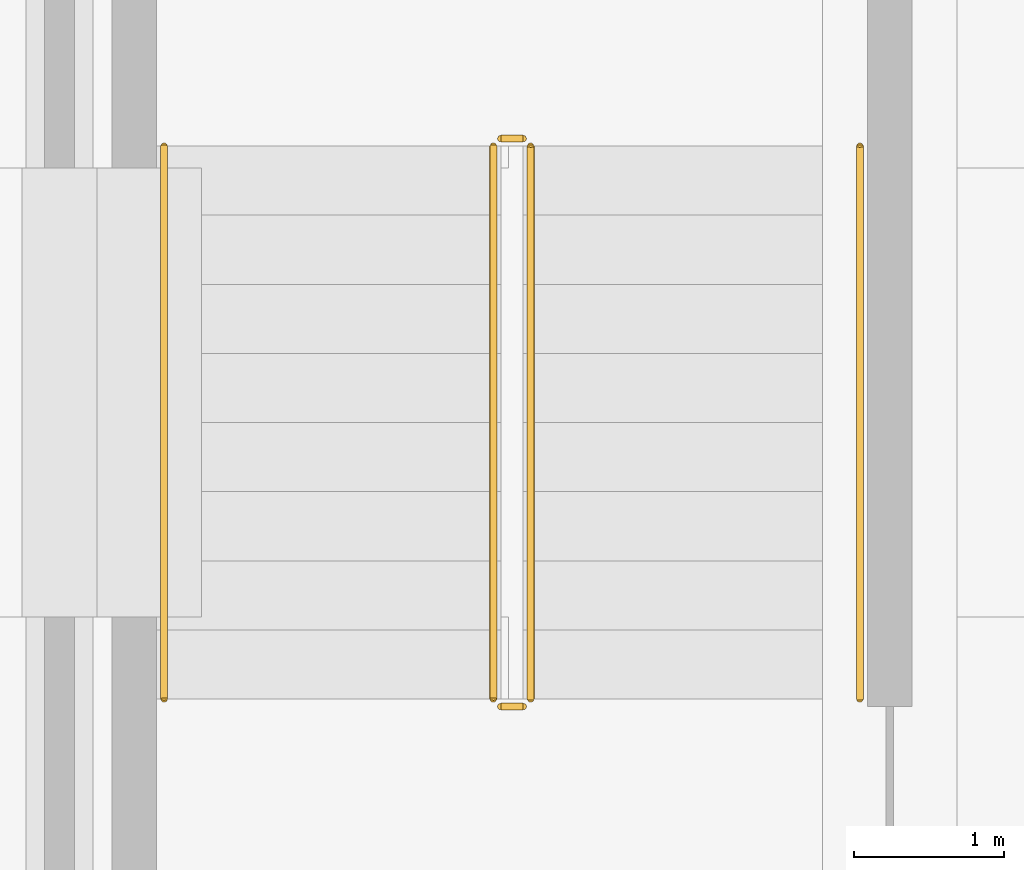
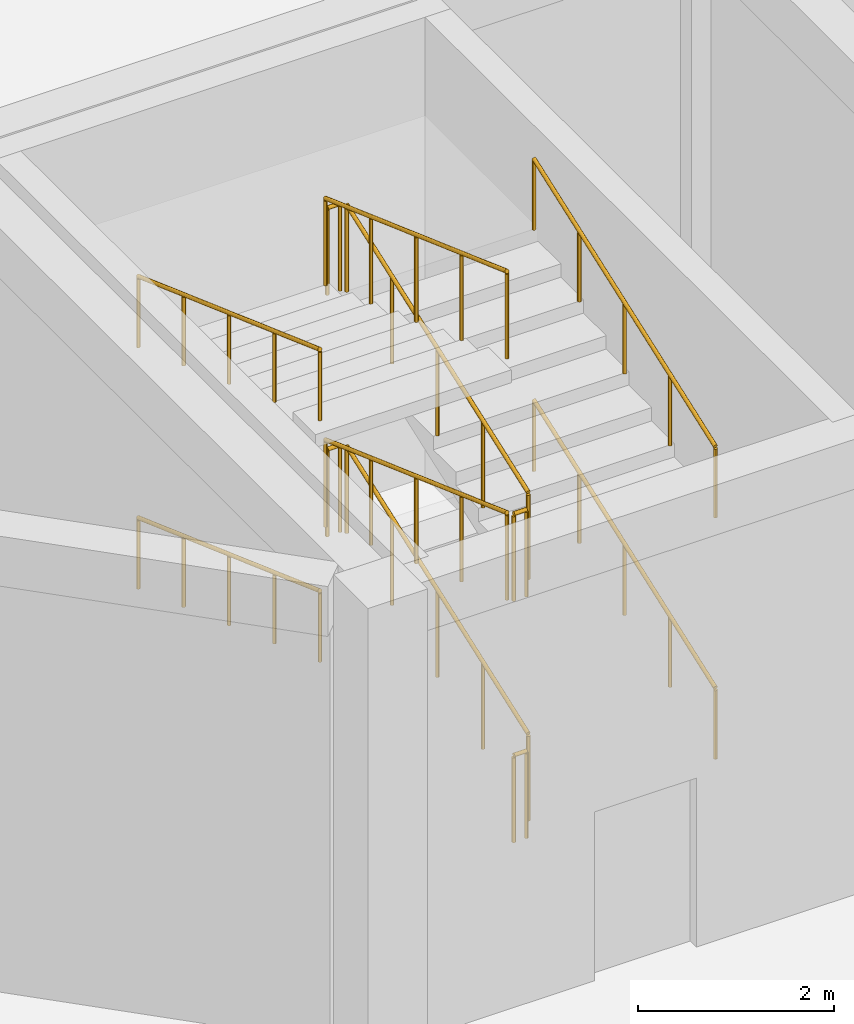
# One storey, part 38 of 44: 12 railings.
"""IFC4 building model written with IfcOpenShell, lengths in metres."""

from ifc_helpers import new_model, si_unit, direction, frame, origin, origin_2d, place, context, subcontext, project, spatial, circle, extrude, material, type_object, element, save


model = new_model("IFC4")

# Units and contexts
model_context = context("Model", 3, precision=1e-05, world=origin(), true_north=direction((0.0, 1.0)))
body_context = subcontext(model_context, "Body", "Model", "MODEL_VIEW")
ifc_project = project(units=[si_unit("LENGTHUNIT", "METRE"), si_unit("AREAUNIT", "SQUARE_METRE"), si_unit("VOLUMEUNIT", "CUBIC_METRE"), si_unit("PLANEANGLEUNIT", "RADIAN"), si_unit("MASSUNIT", "GRAM", prefix="KILO")], contexts=[model_context])

# Site, building, storey
site_placement = place(None, origin())
site = spatial("IfcSite", under=ifc_project, at=site_placement, CompositionType="ELEMENT")
building_placement = place(site_placement, origin())
building = spatial("IfcBuilding", under=site, at=building_placement, Name="Dhurran Vertical Campus", CompositionType="ELEMENT")
storey_placement = place(building_placement, origin())
storey = spatial("IfcBuildingStorey", under=building, at=storey_placement, Name="L00", CompositionType="ELEMENT", Elevation=0.0)

# Railings
ifc_material_1 = material(Name="Steel S355J2H", Category="steel")
railing_type_1 = type_object("IfcRailingType", Name="hl-stair guard 1100", PredefinedType="GUARDRAIL", material=ifc_material_1)
railing_1_placement = place(storey_placement, frame((73.64990234375, -24.550048828125, 0.166748046875)))
element("IfcRailing", 1, at=railing_1_placement, inside=storey, type_object=railing_type_1, Name="L00 HST1 stair guard 1", PredefinedType="GUARDRAIL", context=body_context, shape_type="SweptSolid", body=[
    extrude(circle(Radius=0.02392578125, at=origin_2d()), frame((0.0, 0.0, 1.076171875), z_axis=(0.0, 0.94067018433, 0.339322272054), x_axis=(-1.0, 0.0, 0.0)), (0.0, 0.0, 1.0), 3.92919921875),
    extrude(circle(Radius=0.02099609375, at=origin_2d()), origin(), (0.0, 0.0, 1.0), 1.052001953125),
    extrude(circle(Radius=0.02099609375, at=origin_2d()), frame((0.0, 0.924072265625, 0.333251953125)), (0.0, 0.0, 1.0), 1.052001953125),
    extrude(circle(Radius=0.02099609375, at=origin_2d()), frame((0.0, 1.84814453125, 0.66650390625)), (0.0, 0.0, 1.0), 1.052001953125),
    extrude(circle(Radius=0.02099609375, at=origin_2d()), frame((0.0, 2.77197265625, 1.0)), (0.0, 0.0, 1.0), 1.052001953125),
    extrude(circle(Radius=0.02099609375, at=origin_2d()), frame((0.0, 3.696044921875, 1.333251953125)), (0.0, 0.0, 1.0), 1.052001953125),
])
railing_2_placement = place(storey_placement, frame((73.60009765625, -20.803955078125, 1.5)))
element("IfcRailing", 2, at=railing_2_placement, inside=storey, type_object=railing_type_1, Name="L00 HST1 stair guard 2", PredefinedType="GUARDRAIL", context=body_context, shape_type="SweptSolid", body=[
    extrude(circle(Radius=0.02392578125, at=origin_2d()), frame((0.0, 0.0, 1.076171875), z_axis=(-1.0, 0.0, 0.0), x_axis=(0.0, -1.0, 0.0)), (0.0, 0.0, 1.0), 0.150146484375),
    extrude(circle(Radius=0.02099609375, at=origin_2d()), origin(), (0.0, 0.0, 1.0), 1.052001953125),
    extrude(circle(Radius=0.02099609375, at=origin_2d()), frame((-0.150146484375, 0.0, 0.0)), (0.0, 0.0, 1.0), 1.052001953125),
])
railing_3_placement = place(storey_placement, frame((73.39990234375, -20.85400390625, 1.666748046875)))
element("IfcRailing", 3, at=railing_3_placement, inside=storey, type_object=railing_type_1, Name="L00 HST1 stair guard 3", PredefinedType="GUARDRAIL", context=body_context, shape_type="SweptSolid", body=[
    extrude(circle(Radius=0.02392578125, at=origin_2d()), frame((0.0, 0.0, 1.076171875), z_axis=(0.0, -0.94067018433, 0.339322272054), x_axis=(1.0, 0.0, 0.0)), (0.0, 0.0, 1.0), 3.92919921875),
    extrude(circle(Radius=0.02099609375, at=origin_2d()), origin(), (0.0, 0.0, 1.0), 1.052001953125),
    extrude(circle(Radius=0.02099609375, at=origin_2d()), frame((0.0, -0.924072265625, 0.333251953125)), (0.0, 0.0, 1.0), 1.052001953125),
    extrude(circle(Radius=0.02099609375, at=origin_2d()), frame((0.0, -1.84814453125, 0.66650390625)), (0.0, 0.0, 1.0), 1.052001953125),
    extrude(circle(Radius=0.02099609375, at=origin_2d()), frame((0.0, -2.77197265625, 1.0)), (0.0, 0.0, 1.0), 1.052001953125),
    extrude(circle(Radius=0.02099609375, at=origin_2d()), frame((0.0, -3.696044921875, 1.333251953125)), (0.0, 0.0, 1.0), 1.052001953125),
])
railing_4_placement = place(storey_placement, frame((73.60009765625, -24.60009765625, 3.0)))
element("IfcRailing", 4, at=railing_4_placement, inside=storey, type_object=railing_type_1, Name="L00 HST1 stair guard 4", PredefinedType="GUARDRAIL", context=body_context, shape_type="SweptSolid", body=[
    extrude(circle(Radius=0.02392578125, at=origin_2d()), frame((0.0, 0.0, 1.076171875), z_axis=(-1.0, 0.0, 0.0), x_axis=(0.0, -1.0, 0.0)), (0.0, 0.0, 1.0), 0.150146484375),
    extrude(circle(Radius=0.02099609375, at=origin_2d()), origin(), (0.0, 0.0, 1.0), 1.052001953125),
    extrude(circle(Radius=0.02099609375, at=origin_2d()), frame((-0.150146484375, 0.0, 0.0)), (0.0, 0.0, 1.0), 1.052001953125),
])
railing_5_placement = place(storey_placement, frame((73.64990234375, -24.550048828125, 3.166748046875)))
element("IfcRailing", 5, at=railing_5_placement, inside=storey, type_object=railing_type_1, Name="L00 HST1 stair guard 5", PredefinedType="GUARDRAIL", context=body_context, shape_type="SweptSolid", body=[
    extrude(circle(Radius=0.02392578125, at=origin_2d()), frame((0.0, 0.0, 1.076171875), z_axis=(0.0, 0.94067018433, 0.339322272054), x_axis=(-1.0, 0.0, 0.0)), (0.0, 0.0, 1.0), 3.92919921875),
    extrude(circle(Radius=0.02099609375, at=origin_2d()), origin(), (0.0, 0.0, 1.0), 1.052001953125),
    extrude(circle(Radius=0.02099609375, at=origin_2d()), frame((0.0, 0.924072265625, 0.333251953125)), (0.0, 0.0, 1.0), 1.052001953125),
    extrude(circle(Radius=0.02099609375, at=origin_2d()), frame((0.0, 1.84814453125, 0.66650390625)), (0.0, 0.0, 1.0), 1.052001953125),
    extrude(circle(Radius=0.02099609375, at=origin_2d()), frame((0.0, 2.77197265625, 1.0)), (0.0, 0.0, 1.0), 1.052001953125),
    extrude(circle(Radius=0.02099609375, at=origin_2d()), frame((0.0, 3.696044921875, 1.333251953125)), (0.0, 0.0, 1.0), 1.052001953125),
])
railing_6_placement = place(storey_placement, frame((73.60009765625, -20.803955078125, 4.5)))
element("IfcRailing", 6, at=railing_6_placement, inside=storey, type_object=railing_type_1, Name="L00 HST1 stair guard 6", PredefinedType="GUARDRAIL", context=body_context, shape_type="SweptSolid", body=[
    extrude(circle(Radius=0.02392578125, at=origin_2d()), frame((0.0, 0.0, 1.076171875), z_axis=(-1.0, 0.0, 0.0), x_axis=(0.0, -1.0, 0.0)), (0.0, 0.0, 1.0), 0.150146484375),
    extrude(circle(Radius=0.02099609375, at=origin_2d()), origin(), (0.0, 0.0, 1.0), 1.052001953125),
    extrude(circle(Radius=0.02099609375, at=origin_2d()), frame((-0.150146484375, 0.0, 0.0)), (0.0, 0.0, 1.0), 1.052001953125),
])
railing_7_placement = place(storey_placement, frame((73.39990234375, -20.85400390625, 4.666748046875)))
element("IfcRailing", 7, at=railing_7_placement, inside=storey, type_object=railing_type_1, Name="L00 HST1 stair guard 7", PredefinedType="GUARDRAIL", context=body_context, shape_type="SweptSolid", body=[
    extrude(circle(Radius=0.02392578125, at=origin_2d()), frame((0.0, 0.0, 1.076171875), z_axis=(0.0, -0.94067018433, 0.339322272054), x_axis=(1.0, 0.0, 0.0)), (0.0, 0.0, 1.0), 3.92919921875),
    extrude(circle(Radius=0.02099609375, at=origin_2d()), origin(), (0.0, 0.0, 1.0), 1.052001953125),
    extrude(circle(Radius=0.02099609375, at=origin_2d()), frame((0.0, -0.924072265625, 0.333251953125)), (0.0, 0.0, 1.0), 1.052001953125),
    extrude(circle(Radius=0.02099609375, at=origin_2d()), frame((0.0, -1.84814453125, 0.66650390625)), (0.0, 0.0, 1.0), 1.052001953125),
    extrude(circle(Radius=0.02099609375, at=origin_2d()), frame((0.0, -2.77197265625, 1.0)), (0.0, 0.0, 1.0), 1.052001953125),
    extrude(circle(Radius=0.02099609375, at=origin_2d()), frame((0.0, -3.696044921875, 1.333251953125)), (0.0, 0.0, 1.0), 1.052001953125),
])
railing_8_placement = place(storey_placement, frame((73.60009765625, -24.60009765625, 0.0)))
element("IfcRailing", 8, at=railing_8_placement, inside=storey, type_object=railing_type_1, Name="L00 HST1 stair guard 8", PredefinedType="GUARDRAIL", context=body_context, shape_type="SweptSolid", body=[
    extrude(circle(Radius=0.02392578125, at=origin_2d()), frame((0.0, 0.0, 1.076171875), z_axis=(-1.0, 0.0, 0.0), x_axis=(0.0, -1.0, 0.0)), (0.0, 0.0, 1.0), 0.150146484375),
    extrude(circle(Radius=0.02099609375, at=origin_2d()), origin(), (0.0, 0.0, 1.0), 1.052001953125),
    extrude(circle(Radius=0.02099609375, at=origin_2d()), frame((-0.150146484375, 0.0, 0.0)), (0.0, 0.0, 1.0), 1.052001953125),
])
ifc_material_2 = material(Name="Steel S355J2H", Category="steel")
railing_type_2 = type_object("IfcRailingType", Name="hl-stair handrail", PredefinedType="HANDRAIL", material=ifc_material_2)
railing_9_placement = place(storey_placement, frame((75.85009765625, -24.550048828125, 0.166748046875)))
element("IfcRailing", 9, at=railing_9_placement, inside=storey, type_object=railing_type_2, Name="L00 HST1 stair handrail 1", PredefinedType="HANDRAIL", context=body_context, shape_type="SweptSolid", body=[
    extrude(circle(Radius=0.02392578125, at=origin_2d()), frame((0.0, 0.0, 0.8759765625), z_axis=(0.0, 0.94067018433, 0.339322272054), x_axis=(-1.0, 0.0, 0.0)), (0.0, 0.0, 1.0), 3.92919921875),
    extrude(circle(Radius=0.02099609375, at=origin_2d()), origin(), (0.0, 0.0, 1.0), 0.851806640625),
    extrude(circle(Radius=0.02099609375, at=origin_2d()), frame((0.0, 0.924072265625, 0.333251953125)), (0.0, 0.0, 1.0), 0.851806640625),
    extrude(circle(Radius=0.02099609375, at=origin_2d()), frame((0.0, 1.84814453125, 0.66650390625)), (0.0, 0.0, 1.0), 0.851806640625),
    extrude(circle(Radius=0.02099609375, at=origin_2d()), frame((0.0, 2.77197265625, 1.0)), (0.0, 0.0, 1.0), 0.851806640625),
    extrude(circle(Radius=0.02099609375, at=origin_2d()), frame((0.0, 3.696044921875, 1.333251953125)), (0.0, 0.0, 1.0), 0.851806640625),
])
railing_10_placement = place(storey_placement, frame((71.199951171875, -20.85400390625, 1.666748046875)))
element("IfcRailing", 10, at=railing_10_placement, inside=storey, type_object=railing_type_2, Name="L00 HST1 stair handrail 2", PredefinedType="HANDRAIL", context=body_context, shape_type="SweptSolid", body=[
    extrude(circle(Radius=0.02392578125, at=origin_2d()), frame((0.0, 0.0, 0.8759765625), z_axis=(0.0, -0.94067018433, 0.339322272054), x_axis=(1.0, 0.0, 0.0)), (0.0, 0.0, 1.0), 3.92919921875),
    extrude(circle(Radius=0.02099609375, at=origin_2d()), origin(), (0.0, 0.0, 1.0), 0.851806640625),
    extrude(circle(Radius=0.02099609375, at=origin_2d()), frame((0.0, -0.924072265625, 0.333251953125)), (0.0, 0.0, 1.0), 0.851806640625),
    extrude(circle(Radius=0.02099609375, at=origin_2d()), frame((0.0, -1.84814453125, 0.66650390625)), (0.0, 0.0, 1.0), 0.851806640625),
    extrude(circle(Radius=0.02099609375, at=origin_2d()), frame((0.0, -2.77197265625, 1.0)), (0.0, 0.0, 1.0), 0.851806640625),
    extrude(circle(Radius=0.02099609375, at=origin_2d()), frame((0.0, -3.696044921875, 1.333251953125)), (0.0, 0.0, 1.0), 0.851806640625),
])
railing_11_placement = place(storey_placement, frame((75.85009765625, -24.550048828125, 3.166748046875)))
element("IfcRailing", 11, at=railing_11_placement, inside=storey, type_object=railing_type_2, Name="L00 HST1 stair handrail 3", PredefinedType="HANDRAIL", context=body_context, shape_type="SweptSolid", body=[
    extrude(circle(Radius=0.02392578125, at=origin_2d()), frame((0.0, 0.0, 0.8759765625), z_axis=(0.0, 0.94067018433, 0.339322272054), x_axis=(-1.0, 0.0, 0.0)), (0.0, 0.0, 1.0), 3.92919921875),
    extrude(circle(Radius=0.02099609375, at=origin_2d()), origin(), (0.0, 0.0, 1.0), 0.851806640625),
    extrude(circle(Radius=0.02099609375, at=origin_2d()), frame((0.0, 0.924072265625, 0.333251953125)), (0.0, 0.0, 1.0), 0.851806640625),
    extrude(circle(Radius=0.02099609375, at=origin_2d()), frame((0.0, 1.84814453125, 0.66650390625)), (0.0, 0.0, 1.0), 0.851806640625),
    extrude(circle(Radius=0.02099609375, at=origin_2d()), frame((0.0, 2.77197265625, 1.0)), (0.0, 0.0, 1.0), 0.851806640625),
    extrude(circle(Radius=0.02099609375, at=origin_2d()), frame((0.0, 3.696044921875, 1.333251953125)), (0.0, 0.0, 1.0), 0.851806640625),
])
railing_12_placement = place(storey_placement, frame((71.199951171875, -20.85400390625, 4.666748046875)))
element("IfcRailing", 12, at=railing_12_placement, inside=storey, type_object=railing_type_2, Name="L00 HST1 stair handrail 4", PredefinedType="HANDRAIL", context=body_context, shape_type="SweptSolid", body=[
    extrude(circle(Radius=0.02392578125, at=origin_2d()), frame((0.0, 0.0, 0.8759765625), z_axis=(0.0, -0.94067018433, 0.339322272054), x_axis=(1.0, 0.0, 0.0)), (0.0, 0.0, 1.0), 3.92919921875),
    extrude(circle(Radius=0.02099609375, at=origin_2d()), origin(), (0.0, 0.0, 1.0), 0.851806640625),
    extrude(circle(Radius=0.02099609375, at=origin_2d()), frame((0.0, -0.924072265625, 0.333251953125)), (0.0, 0.0, 1.0), 0.851806640625),
    extrude(circle(Radius=0.02099609375, at=origin_2d()), frame((0.0, -1.84814453125, 0.66650390625)), (0.0, 0.0, 1.0), 0.851806640625),
    extrude(circle(Radius=0.02099609375, at=origin_2d()), frame((0.0, -2.77197265625, 1.0)), (0.0, 0.0, 1.0), 0.851806640625),
    extrude(circle(Radius=0.02099609375, at=origin_2d()), frame((0.0, -3.696044921875, 1.333251953125)), (0.0, 0.0, 1.0), 0.851806640625),
])

save(model, "model.ifc")
